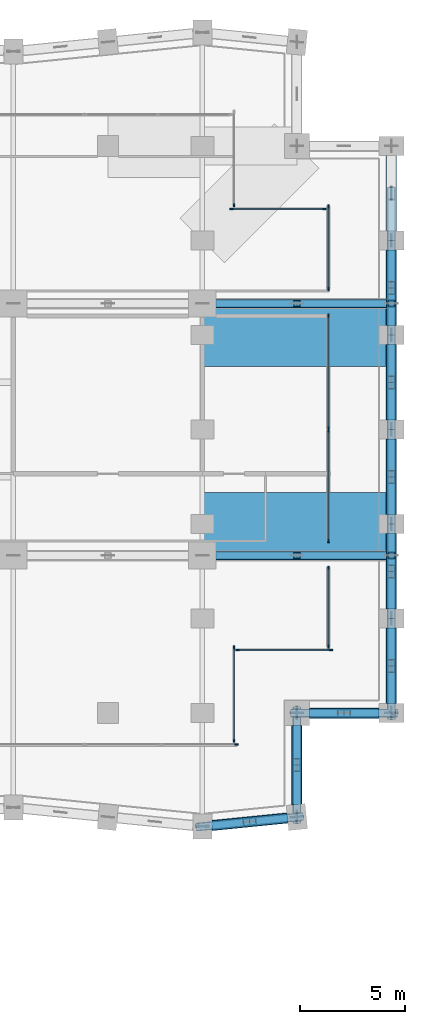
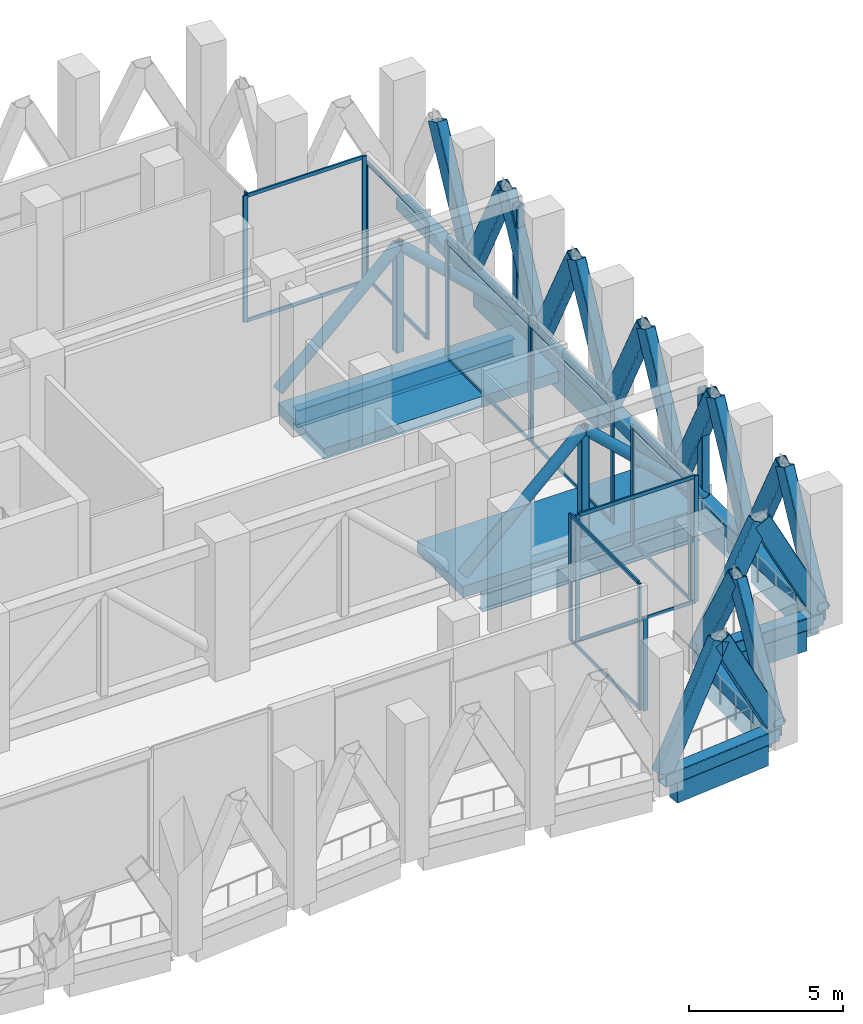
# One storey, part 18 of 37: 59 members, 12 beams, 9 elements without a shape of their own.
"""IFC4 building model written with IfcOpenShell, lengths in metres."""

from ifc_helpers import new_model, si_unit, direction, frame, origin, origin_2d, place, context, subcontext, project, spatial, rectangle, hollow_rectangle, hollow_circle, i_section, extrude, material, material_profile, profile_set, type_object, element, aggregate, save


model = new_model("IFC4")

# Units and contexts
model_context = context("Model", 3, precision=1e-05, world=origin(), true_north=direction((0.0, 1.0)))
body_context = subcontext(model_context, "Body", "Model", "MODEL_VIEW")
ifc_project = project(units=[si_unit("LENGTHUNIT", "METRE"), si_unit("AREAUNIT", "SQUARE_METRE"), si_unit("VOLUMEUNIT", "CUBIC_METRE"), si_unit("PLANEANGLEUNIT", "RADIAN"), si_unit("MASSUNIT", "GRAM", prefix="KILO")], contexts=[model_context])

# Site, building, storey
site_placement = place(None, origin())
site = spatial("IfcSite", under=ifc_project, at=site_placement, CompositionType="ELEMENT")
building_placement = place(site_placement, origin())
building = spatial("IfcBuilding", under=site, at=building_placement, Name="Brondeck Convention Tower", CompositionType="ELEMENT")
storey_placement = place(building_placement, frame((0.0, 0.0, 137.89990234375)))
storey = spatial("IfcBuildingStorey", under=building, at=storey_placement, Name="L33", CompositionType="ELEMENT", Elevation=137.89990234375)

# Beams
ifc_material_1 = material(Name="Concrete C70/85", Category="concrete")
ifc_material_profile_1 = material_profile(ifc_material_1, rectangle(XDim=3.0, YDim=0.43994140625, at=origin_2d()), Name="Band beam 3000x440 Concrete C70/85")
ifc_profile_set_1 = profile_set([ifc_material_profile_1], Name="Concrete C70/85")
beam_type_1 = type_object("IfcBeamType", Name="Band beam 3000x440 Concrete C70/85", PredefinedType="BEAM", material=ifc_profile_set_1)
for number, where, z_axis, x_axis, name in (
    (1, (63.0, 40.5, -0.219970703125), (1.0, 0.0, 0.0), (0.0, 1.0, 0.0), "Band beam L33-25"),
    (2, (63.0, 49.5, -0.219970703125), (1.0, 0.0, 0.0), (0.0, 1.0, 0.0), "Band beam L33-26"),
):
    element("IfcBeam", number, at=place(storey_placement, frame(where, z_axis=z_axis, x_axis=x_axis)), inside=storey, type_object=beam_type_1, Name=name, PredefinedType="BEAM", context=body_context, shape_type="SweptSolid", body=[
        extrude(rectangle(XDim=3.0, YDim=0.43994140625, at=origin_2d()), origin(), (0.0, 0.0, 1.0), 9.0),
    ])

# Curtain wall, member
ifc_material_2 = material(Name="Aluminium, bronze anodised", Category="aluminium")
curtain_wall_type = type_object("IfcCurtainWallType", Name="Sky lobby curtain wall", PredefinedType="NOTDEFINED", material=ifc_material_2)
curtain_wall_1_placement = place(storey_placement, origin())
curtain_wall_1 = element("IfcCurtainWall", 3, at=curtain_wall_1_placement, inside=storey, type_object=curtain_wall_type, Name="ENV-L33-016-CW30", PredefinedType="NOTDEFINED")
ifc_material_profile_2 = material_profile(ifc_material_2, rectangle(XDim=0.06005859375, YDim=0.159912109375, at=origin_2d()), Name="CW3 mullion")
ifc_profile_set_2 = profile_set([ifc_material_profile_2], Name="Aluminium, bronze anodised")
member_type_1 = type_object("IfcMemberType", Name="CW3 mullion", PredefinedType="MULLION", material=ifc_profile_set_2)
member_1_placement = place(storey_placement, frame((64.6201171875, 30.0, 0.0), z_axis=(0.0, 0.0, 1.0), x_axis=(0.0, -1.0, 0.0)))
member_1 = element("IfcMember", 4, at=member_1_placement, type_object=member_type_1, Name="CW3 mullion 1", PredefinedType="MULLION", context=body_context, shape_type="SweptSolid", body=[
    extrude(rectangle(XDim=0.06005859375, YDim=0.159912109375, at=origin_2d()), origin(), (0.0, 0.0, 1.0), 3.7001953125),
])
aggregate(curtain_wall_1, [member_1])

# Curtain wall, members
curtain_wall_2_placement = place(storey_placement, origin())
curtain_wall_2 = element("IfcCurtainWall", 5, at=curtain_wall_2_placement, inside=storey, type_object=curtain_wall_type, Name="ENV-L33-017-CW30", PredefinedType="NOTDEFINED")
member_2_placement = place(storey_placement, frame((64.5, 34.6201171875, 0.0), z_axis=(0.0, 0.0, 1.0), x_axis=(1.0, 0.0, 0.0)))
member_2 = element("IfcMember", 6, at=member_2_placement, type_object=member_type_1, Name="CW3 mullion 1", PredefinedType="MULLION", context=body_context, shape_type="SweptSolid", body=[
    extrude(rectangle(XDim=0.06005859375, YDim=0.159912109375, at=origin_2d()), origin(), (0.0, 0.0, 1.0), 5.0),
])
member_3_placement = place(storey_placement, frame((64.5, 30.179931640625, 0.0), z_axis=(0.0, 0.0, 1.0), x_axis=(1.0, 0.0, 0.0)))
member_3 = element("IfcMember", 7, at=member_3_placement, type_object=member_type_1, Name="CW3 mullion 2", PredefinedType="MULLION", context=body_context, shape_type="SweptSolid", body=[
    extrude(rectangle(XDim=0.06005859375, YDim=0.159912109375, at=origin_2d()), origin(), (0.0, 0.0, 1.0), 5.0),
])

curtain_wall_3_placement = place(storey_placement, origin())
curtain_wall_3 = element("IfcCurtainWall", 8, at=curtain_wall_3_placement, inside=storey, type_object=curtain_wall_type, Name="ENV-L33-018-CW30", PredefinedType="NOTDEFINED")
member_4_placement = place(storey_placement, frame((69.1201171875, 34.5, 0.0), z_axis=(0.0, 0.0, 1.0), x_axis=(0.0, -1.0, 0.0)))
member_4 = element("IfcMember", 9, at=member_4_placement, type_object=member_type_1, Name="CW3 mullion 1", PredefinedType="MULLION", context=body_context, shape_type="SweptSolid", body=[
    extrude(rectangle(XDim=0.06005859375, YDim=0.159912109375, at=origin_2d()), origin(), (0.0, 0.0, 1.0), 5.0),
])
member_5_placement = place(storey_placement, frame((64.679931640625, 34.5, 0.0), z_axis=(0.0, 0.0, 1.0), x_axis=(0.0, -1.0, 0.0)))
member_5 = element("IfcMember", 10, at=member_5_placement, type_object=member_type_1, Name="CW3 mullion 2", PredefinedType="MULLION", context=body_context, shape_type="SweptSolid", body=[
    extrude(rectangle(XDim=0.06005859375, YDim=0.159912109375, at=origin_2d()), origin(), (0.0, 0.0, 1.0), 5.0),
])

curtain_wall_4_placement = place(storey_placement, origin())
curtain_wall_4 = element("IfcCurtainWall", 11, at=curtain_wall_4_placement, inside=storey, type_object=curtain_wall_type, Name="ENV-L33-019-CW30", PredefinedType="NOTDEFINED")
member_6_placement = place(storey_placement, frame((69.0, 38.419921875, 0.0), z_axis=(0.0, 0.0, 1.0), x_axis=(1.0, 0.0, 0.0)))
member_6 = element("IfcMember", 12, at=member_6_placement, type_object=member_type_1, Name="CW3 mullion 1", PredefinedType="MULLION", context=body_context, shape_type="SweptSolid", body=[
    extrude(rectangle(XDim=0.06005859375, YDim=0.159912109375, at=origin_2d()), origin(), (0.0, 0.0, 1.0), 4.650146484375),
])
member_7_placement = place(storey_placement, frame((69.0, 34.677978515625, 0.0), z_axis=(0.0, 0.0, 1.0), x_axis=(1.0, 0.0, 0.0)))
member_7 = element("IfcMember", 13, at=member_7_placement, type_object=member_type_1, Name="CW3 mullion 2", PredefinedType="MULLION", context=body_context, shape_type="SweptSolid", body=[
    extrude(rectangle(XDim=0.06005859375, YDim=0.159912109375, at=origin_2d()), origin(), (0.0, 0.0, 1.0), 4.650146484375),
])

curtain_wall_5_placement = place(storey_placement, origin())
curtain_wall_5 = element("IfcCurtainWall", 14, at=curtain_wall_5_placement, inside=storey, type_object=curtain_wall_type, Name="ENV-L33-020-CW30", PredefinedType="NOTDEFINED")
member_8_placement = place(storey_placement, frame((69.0, 44.93994140625, 0.0), z_axis=(0.0, 0.0, 1.0), x_axis=(1.0, 0.0, 0.0)))
member_8 = element("IfcMember", 15, at=member_8_placement, type_object=member_type_1, Name="CW3 mullion 1", PredefinedType="MULLION", context=body_context, shape_type="SweptSolid", body=[
    extrude(rectangle(XDim=0.06005859375, YDim=0.159912109375, at=origin_2d()), origin(), (0.0, 0.0, 1.0), 4.650146484375),
])
member_9_placement = place(storey_placement, frame((69.0, 39.699951171875, 0.0), z_axis=(0.0, 0.0, 1.0), x_axis=(1.0, 0.0, 0.0)))
member_9 = element("IfcMember", 16, at=member_9_placement, type_object=member_type_1, Name="CW3 mullion 2", PredefinedType="MULLION", context=body_context, shape_type="SweptSolid", body=[
    extrude(rectangle(XDim=0.06005859375, YDim=0.159912109375, at=origin_2d()), origin(), (0.0, 0.0, 1.0), 4.650146484375),
])

curtain_wall_6_placement = place(storey_placement, origin())
curtain_wall_6 = element("IfcCurtainWall", 17, at=curtain_wall_6_placement, inside=storey, type_object=curtain_wall_type, Name="ENV-L33-020-CW31", PredefinedType="NOTDEFINED")
member_10_placement = place(storey_placement, frame((69.0, 50.419921875, 0.0), z_axis=(0.0, 0.0, 1.0), x_axis=(1.0, 0.0, 0.0)))
member_10 = element("IfcMember", 18, at=member_10_placement, type_object=member_type_1, Name="CW3 mullion 1", PredefinedType="MULLION", context=body_context, shape_type="SweptSolid", body=[
    extrude(rectangle(XDim=0.06005859375, YDim=0.159912109375, at=origin_2d()), origin(), (0.0, 0.0, 1.0), 4.650146484375),
])
member_11_placement = place(storey_placement, frame((69.0, 45.06005859375, 0.0), z_axis=(0.0, 0.0, 1.0), x_axis=(1.0, 0.0, 0.0)))
member_11 = element("IfcMember", 19, at=member_11_placement, type_object=member_type_1, Name="CW3 mullion 2", PredefinedType="MULLION", context=body_context, shape_type="SweptSolid", body=[
    extrude(rectangle(XDim=0.06005859375, YDim=0.159912109375, at=origin_2d()), origin(), (0.0, 0.0, 1.0), 4.650146484375),
])

curtain_wall_7_placement = place(storey_placement, origin())
curtain_wall_7 = element("IfcCurtainWall", 20, at=curtain_wall_7_placement, inside=storey, type_object=curtain_wall_type, Name="ENV-L33-021-CW30", PredefinedType="NOTDEFINED")
member_12_placement = place(storey_placement, frame((69.0, 55.6201171875, 0.0), z_axis=(0.0, 0.0, 1.0), x_axis=(1.0, 0.0, 0.0)))
member_12 = element("IfcMember", 21, at=member_12_placement, type_object=member_type_1, Name="CW3 mullion 1", PredefinedType="MULLION", context=body_context, shape_type="SweptSolid", body=[
    extrude(rectangle(XDim=0.06005859375, YDim=0.159912109375, at=origin_2d()), origin(), (0.0, 0.0, 1.0), 4.650146484375),
])
member_13_placement = place(storey_placement, frame((69.0, 51.699951171875, 0.0), z_axis=(0.0, 0.0, 1.0), x_axis=(1.0, 0.0, 0.0)))
member_13 = element("IfcMember", 22, at=member_13_placement, type_object=member_type_1, Name="CW3 mullion 2", PredefinedType="MULLION", context=body_context, shape_type="SweptSolid", body=[
    extrude(rectangle(XDim=0.06005859375, YDim=0.159912109375, at=origin_2d()), origin(), (0.0, 0.0, 1.0), 4.650146484375),
])

curtain_wall_8_placement = place(storey_placement, origin())
curtain_wall_8 = element("IfcCurtainWall", 23, at=curtain_wall_8_placement, inside=storey, type_object=curtain_wall_type, Name="ENV-L33-022-CW30", PredefinedType="NOTDEFINED")
member_14_placement = place(storey_placement, frame((64.3798828125, 55.5, 0.0), z_axis=(0.0, 0.0, 1.0), x_axis=(0.0, 1.0, 0.0)))
member_14 = element("IfcMember", 24, at=member_14_placement, type_object=member_type_1, Name="CW3 mullion 1", PredefinedType="MULLION", context=body_context, shape_type="SweptSolid", body=[
    extrude(rectangle(XDim=0.06005859375, YDim=0.159912109375, at=origin_2d()), origin(), (0.0, 0.0, 1.0), 5.0),
])
member_15_placement = place(storey_placement, frame((68.820068359375, 55.5, 0.0), z_axis=(0.0, 0.0, 1.0), x_axis=(0.0, 1.0, 0.0)))
member_15 = element("IfcMember", 25, at=member_15_placement, type_object=member_type_1, Name="CW3 mullion 2", PredefinedType="MULLION", context=body_context, shape_type="SweptSolid", body=[
    extrude(rectangle(XDim=0.06005859375, YDim=0.159912109375, at=origin_2d()), origin(), (0.0, 0.0, 1.0), 5.0),
])

# Curtain wall, member
curtain_wall_9_placement = place(storey_placement, origin())
curtain_wall_9 = element("IfcCurtainWall", 26, at=curtain_wall_9_placement, inside=storey, type_object=curtain_wall_type, Name="ENV-L33-023-CW30", PredefinedType="NOTDEFINED")
member_16_placement = place(storey_placement, frame((64.5, 55.677978515625, 0.0), z_axis=(0.0, 0.0, 1.0), x_axis=(1.0, 0.0, 0.0)))
member_16 = element("IfcMember", 27, at=member_16_placement, type_object=member_type_1, Name="CW3 mullion 2", PredefinedType="MULLION", context=body_context, shape_type="SweptSolid", body=[
    extrude(rectangle(XDim=0.06005859375, YDim=0.159912109375, at=origin_2d()), origin(), (0.0, 0.0, 1.0), 5.0),
])
aggregate(curtain_wall_9, [member_16])

# Member
ifc_material_profile_3 = material_profile(ifc_material_2, rectangle(XDim=0.06005859375, YDim=0.139892578125, at=origin_2d()), Name="CW3 transom")
ifc_profile_set_3 = profile_set([ifc_material_profile_3], Name="Aluminium, bronze anodised")
member_type_2 = type_object("IfcMemberType", Name="CW3 transom", PredefinedType="USERDEFINED", material=ifc_profile_set_3)
member_17_placement = place(storey_placement, frame((64.5, 34.590087890625, 0.030029296875), z_axis=(0.0, -1.0, 0.0), x_axis=(1.0, 0.0, 0.0)))
member_17 = element("IfcMember", 28, at=member_17_placement, type_object=member_type_2, Name="CW3 transom 1.1", ObjectType="TRANSOM", PredefinedType="USERDEFINED", context=body_context, shape_type="SweptSolid", body=[
    extrude(rectangle(XDim=0.06005859375, YDim=0.139892578125, at=origin_2d()), origin(), (0.0, 0.0, 1.0), 4.380126953125),
])

member_18_placement = place(storey_placement, frame((64.5, 34.590087890625, 4.97021484375), z_axis=(0.0, -1.0, 0.0), x_axis=(1.0, 0.0, 0.0)))
member_18 = element("IfcMember", 29, at=member_18_placement, type_object=member_type_2, Name="CW3 transom 1.2", ObjectType="TRANSOM", PredefinedType="USERDEFINED", context=body_context, shape_type="SweptSolid", body=[
    extrude(rectangle(XDim=0.06005859375, YDim=0.139892578125, at=origin_2d()), origin(), (0.0, 0.0, 1.0), 4.380126953125),
])

aggregate(curtain_wall_2, [member_2, member_3, member_17, member_18])

member_19_placement = place(storey_placement, frame((69.090087890625, 34.5, 0.030029296875), z_axis=(-1.0, 0.0, 0.0), x_axis=(0.0, -1.0, 0.0)))
member_19 = element("IfcMember", 30, at=member_19_placement, type_object=member_type_2, Name="CW3 transom 1.1", ObjectType="TRANSOM", PredefinedType="USERDEFINED", context=body_context, shape_type="SweptSolid", body=[
    extrude(rectangle(XDim=0.06005859375, YDim=0.139892578125, at=origin_2d()), origin(), (0.0, 0.0, 1.0), 4.380126953125),
])

member_20_placement = place(storey_placement, frame((69.090087890625, 34.5, 4.97021484375), z_axis=(-1.0, 0.0, 0.0), x_axis=(0.0, -1.0, 0.0)))
member_20 = element("IfcMember", 31, at=member_20_placement, type_object=member_type_2, Name="CW3 transom 1.2", ObjectType="TRANSOM", PredefinedType="USERDEFINED", context=body_context, shape_type="SweptSolid", body=[
    extrude(rectangle(XDim=0.06005859375, YDim=0.139892578125, at=origin_2d()), origin(), (0.0, 0.0, 1.0), 4.380126953125),
])

aggregate(curtain_wall_3, [member_4, member_5, member_19, member_20])

member_21_placement = place(storey_placement, frame((69.0, 38.389892578125, 0.030029296875), z_axis=(0.0, -1.0, 0.0), x_axis=(1.0, 0.0, 0.0)))
member_21 = element("IfcMember", 32, at=member_21_placement, type_object=member_type_2, Name="CW3 transom 1.1", ObjectType="TRANSOM", PredefinedType="USERDEFINED", context=body_context, shape_type="SweptSolid", body=[
    extrude(rectangle(XDim=0.06005859375, YDim=0.139892578125, at=origin_2d()), origin(), (0.0, 0.0, 1.0), 3.681884765625),
])

member_22_placement = place(storey_placement, frame((69.0, 38.389892578125, 4.6201171875), z_axis=(0.0, -1.0, 0.0), x_axis=(1.0, 0.0, 0.0)))
member_22 = element("IfcMember", 33, at=member_22_placement, type_object=member_type_2, Name="CW3 transom 1.2", ObjectType="TRANSOM", PredefinedType="USERDEFINED", context=body_context, shape_type="SweptSolid", body=[
    extrude(rectangle(XDim=0.06005859375, YDim=0.139892578125, at=origin_2d()), origin(), (0.0, 0.0, 1.0), 3.681884765625),
])

aggregate(curtain_wall_4, [member_6, member_7, member_21, member_22])

member_23_placement = place(storey_placement, frame((69.0, 44.909912109375, 0.030029296875), z_axis=(0.0, -1.0, 0.0), x_axis=(1.0, 0.0, 0.0)))
member_23 = element("IfcMember", 34, at=member_23_placement, type_object=member_type_2, Name="CW3 transom 1.1", ObjectType="TRANSOM", PredefinedType="USERDEFINED", context=body_context, shape_type="SweptSolid", body=[
    extrude(rectangle(XDim=0.06005859375, YDim=0.139892578125, at=origin_2d()), origin(), (0.0, 0.0, 1.0), 5.179931640625),
])

member_24_placement = place(storey_placement, frame((69.0, 44.909912109375, 4.6201171875), z_axis=(0.0, -1.0, 0.0), x_axis=(1.0, 0.0, 0.0)))
member_24 = element("IfcMember", 35, at=member_24_placement, type_object=member_type_2, Name="CW3 transom 1.2", ObjectType="TRANSOM", PredefinedType="USERDEFINED", context=body_context, shape_type="SweptSolid", body=[
    extrude(rectangle(XDim=0.06005859375, YDim=0.139892578125, at=origin_2d()), origin(), (0.0, 0.0, 1.0), 5.179931640625),
])

aggregate(curtain_wall_5, [member_8, member_9, member_23, member_24])

member_25_placement = place(storey_placement, frame((69.0, 50.389892578125, 0.030029296875), z_axis=(0.0, -1.0, 0.0), x_axis=(1.0, 0.0, 0.0)))
member_25 = element("IfcMember", 36, at=member_25_placement, type_object=member_type_2, Name="CW3 transom 1.1", ObjectType="TRANSOM", PredefinedType="USERDEFINED", context=body_context, shape_type="SweptSolid", body=[
    extrude(rectangle(XDim=0.06005859375, YDim=0.139892578125, at=origin_2d()), origin(), (0.0, 0.0, 1.0), 5.2998046875),
])

member_26_placement = place(storey_placement, frame((69.0, 50.389892578125, 4.6201171875), z_axis=(0.0, -1.0, 0.0), x_axis=(1.0, 0.0, 0.0)))
member_26 = element("IfcMember", 37, at=member_26_placement, type_object=member_type_2, Name="CW3 transom 1.2", ObjectType="TRANSOM", PredefinedType="USERDEFINED", context=body_context, shape_type="SweptSolid", body=[
    extrude(rectangle(XDim=0.06005859375, YDim=0.139892578125, at=origin_2d()), origin(), (0.0, 0.0, 1.0), 5.2998046875),
])

aggregate(curtain_wall_6, [member_10, member_11, member_25, member_26])

member_27_placement = place(storey_placement, frame((69.0, 55.590087890625, 0.030029296875), z_axis=(0.0, -1.0, 0.0), x_axis=(1.0, 0.0, 0.0)))
member_27 = element("IfcMember", 38, at=member_27_placement, type_object=member_type_2, Name="CW3 transom 1.1", ObjectType="TRANSOM", PredefinedType="USERDEFINED", context=body_context, shape_type="SweptSolid", body=[
    extrude(rectangle(XDim=0.06005859375, YDim=0.139892578125, at=origin_2d()), origin(), (0.0, 0.0, 1.0), 3.860107421875),
])

member_28_placement = place(storey_placement, frame((69.0, 55.590087890625, 4.6201171875), z_axis=(0.0, -1.0, 0.0), x_axis=(1.0, 0.0, 0.0)))
member_28 = element("IfcMember", 39, at=member_28_placement, type_object=member_type_2, Name="CW3 transom 1.2", ObjectType="TRANSOM", PredefinedType="USERDEFINED", context=body_context, shape_type="SweptSolid", body=[
    extrude(rectangle(XDim=0.06005859375, YDim=0.139892578125, at=origin_2d()), origin(), (0.0, 0.0, 1.0), 3.860107421875),
])

aggregate(curtain_wall_7, [member_12, member_13, member_27, member_28])

member_29_placement = place(storey_placement, frame((64.409912109375, 55.5, 0.030029296875), z_axis=(1.0, 0.0, 0.0), x_axis=(0.0, 1.0, 0.0)))
member_29 = element("IfcMember", 40, at=member_29_placement, type_object=member_type_2, Name="CW3 transom 1.1", ObjectType="TRANSOM", PredefinedType="USERDEFINED", context=body_context, shape_type="SweptSolid", body=[
    extrude(rectangle(XDim=0.06005859375, YDim=0.139892578125, at=origin_2d()), origin(), (0.0, 0.0, 1.0), 4.380126953125),
])

member_30_placement = place(storey_placement, frame((64.409912109375, 55.5, 4.97021484375), z_axis=(1.0, 0.0, 0.0), x_axis=(0.0, 1.0, 0.0)))
member_30 = element("IfcMember", 41, at=member_30_placement, type_object=member_type_2, Name="CW3 transom 1.2", ObjectType="TRANSOM", PredefinedType="USERDEFINED", context=body_context, shape_type="SweptSolid", body=[
    extrude(rectangle(XDim=0.06005859375, YDim=0.139892578125, at=origin_2d()), origin(), (0.0, 0.0, 1.0), 4.380126953125),
])

aggregate(curtain_wall_8, [member_14, member_15, member_29, member_30])

# Members
ifc_material_3 = material(Name="Steel S460", Category="steel")
ifc_material_profile_4 = material_profile(ifc_material_3, hollow_rectangle(XDim=0.39990234375, YDim=0.699951171875, WallThickness=0.030029296875, InnerFilletRadius=0.030029296875, OuterFilletRadius=0.06005859375, at=origin_2d()), Name="RHS 700x400x30")
ifc_profile_set_4 = profile_set([ifc_material_profile_4], Name="Steel S460")
member_type_3 = type_object("IfcMemberType", Name="Chevron brace RHS 700x400x30", PredefinedType="BRACE", material=ifc_profile_set_4)
for number, where, z_axis, x_axis, name in (
    (42, (63.0, 26.10009765625, 0.5), (0.458931352356, 0.045863256892, 0.887287200117), (-0.099439578731, 0.995043602151, 0.0), "Belt truss BT-33-20 diagonal"),
    (43, (67.5, 26.550048828125, 0.5), (-0.458930303654, -0.045912949215, 0.887285172581), (0.099546478526, -0.995032913332, 0.0), "Belt truss BT-33-20 diagonal"),
):
    element("IfcMember", number, at=place(storey_placement, frame(where, z_axis=z_axis, x_axis=x_axis)), inside=storey, type_object=member_type_3, Name=name, PredefinedType="BRACE", context=body_context, shape_type="SweptSolid", body=[
        extrude(hollow_rectangle(XDim=0.39990234375, YDim=0.699951171875, WallThickness=0.030029296875, InnerFilletRadius=0.030029296875, OuterFilletRadius=0.06005859375, at=origin_2d()), origin(), (0.0, 0.0, 1.0), 4.902587890625),
    ])
for number, where, z_axis, x_axis, name in (
    (44, (67.5, 26.550048828125, 0.5), (0.0, 0.494493751194, 0.869181183661), (-1.0, 0.0, 0.0), "Belt truss BT-33-21 diagonal"),
    (45, (67.5, 31.5, 0.5), (0.0, -0.494530602788, 0.869160217052), (1.0, 0.0, 0.0), "Belt truss BT-33-21 diagonal"),
):
    element("IfcMember", number, at=place(storey_placement, frame(where, z_axis=z_axis, x_axis=x_axis)), inside=storey, type_object=member_type_3, Name=name, PredefinedType="BRACE", context=body_context, shape_type="SweptSolid", body=[
        extrude(hollow_rectangle(XDim=0.39990234375, YDim=0.699951171875, WallThickness=0.030029296875, InnerFilletRadius=0.030029296875, OuterFilletRadius=0.06005859375, at=origin_2d()), origin(), (0.0, 0.0, 1.0), 5.0048828125),
    ])
for number, where, z_axis, x_axis, name in (
    (46, (67.5, 31.5, 0.5), (0.459414782038, 0.0, 0.888221851817), (0.0, 1.0, 0.0), "Belt truss BT-33-22 diagonal"),
    (47, (72.0, 31.5, 0.5), (-0.459414782038, 0.0, 0.888221851817), (0.0, -1.0, 0.0), "Belt truss BT-33-22 diagonal"),
    (48, (72.0, 31.5, 0.5), (0.0, 0.459414782038, 0.888221851817), (-1.0, 0.0, 0.0), "Belt truss BT-33-23 diagonal"),
    (49, (72.0, 36.0, 0.5), (0.0, -0.459414782038, 0.888221851817), (1.0, 0.0, 0.0), "Belt truss BT-33-23 diagonal"),
    (50, (72.0, 36.0, 0.5), (0.0, 0.459414782038, 0.888221851817), (-1.0, 0.0, 0.0), "Belt truss BT-33-24 diagonal"),
    (51, (72.0, 40.5, 0.5), (0.0, -0.459414782038, 0.888221851817), (1.0, 0.0, 0.0), "Belt truss BT-33-24 diagonal"),
    (52, (72.0, 40.5, 0.5), (0.0, 0.459414782038, 0.888221851817), (-1.0, 0.0, 0.0), "Belt truss BT-33-25 diagonal"),
    (53, (72.0, 45.0, 0.5), (0.0, -0.459414782038, 0.888221851817), (1.0, 0.0, 0.0), "Belt truss BT-33-25 diagonal"),
    (54, (72.0, 45.0, 0.5), (0.0, 0.459414782038, 0.888221851817), (-1.0, 0.0, 0.0), "Belt truss BT-33-26 diagonal"),
    (55, (72.0, 49.5, 0.5), (0.0, -0.459414782038, 0.888221851817), (1.0, 0.0, 0.0), "Belt truss BT-33-26 diagonal"),
    (56, (72.0, 49.5, 0.5), (0.0, 0.459414782038, 0.888221851817), (-1.0, 0.0, 0.0), "Belt truss BT-33-27 diagonal"),
    (57, (72.0, 54.0, 0.5), (0.0, -0.459414782038, 0.888221851817), (1.0, 0.0, 0.0), "Belt truss BT-33-27 diagonal"),
    (58, (72.0, 54.0, 0.5), (0.0, 0.459414782038, 0.888221851817), (-1.0, 0.0, 0.0), "Belt truss BT-33-28 diagonal"),
):
    element("IfcMember", number, at=place(storey_placement, frame(where, z_axis=z_axis, x_axis=x_axis)), inside=storey, type_object=member_type_3, Name=name, PredefinedType="BRACE", context=body_context, shape_type="SweptSolid", body=[
        extrude(hollow_rectangle(XDim=0.39990234375, YDim=0.699951171875, WallThickness=0.030029296875, InnerFilletRadius=0.030029296875, OuterFilletRadius=0.06005859375, at=origin_2d()), origin(), (0.0, 0.0, 1.0), 4.8974609375),
    ])

# Beams
ifc_material_4 = material(Name="Steel S355", Category="steel")
ifc_material_profile_5 = material_profile(ifc_material_4, i_section(OverallWidth=0.300048828125, OverallDepth=0.699951171875, WebThickness=0.01708984375, FlangeThickness=0.031982421875, FilletRadius=0.027099609375, at=origin_2d()), Name="HEB 700")
ifc_profile_set_5 = profile_set([ifc_material_profile_5], Name="Steel S355")
beam_type_2 = type_object("IfcBeamType", Name="Girder HEB 700", PredefinedType="BEAM", material=ifc_profile_set_5)
for number, where, z_axis, x_axis, name in (
    (59, (63.64990234375, 39.0, -0.7998046875), (1.0, 0.0, 0.0), (0.0, 1.0, 0.0), "STR-GR-L33-004"),
    (60, (63.64990234375, 51.0, -0.7998046875), (1.0, 0.0, 0.0), (0.0, 1.0, 0.0), "STR-GR-L33-008"),
):
    element("IfcBeam", number, at=place(storey_placement, frame(where, z_axis=z_axis, x_axis=x_axis)), inside=storey, type_object=beam_type_2, Name=name, PredefinedType="BEAM", context=body_context, shape_type="SweptSolid", body=[
        extrude(i_section(OverallWidth=0.300048828125, OverallDepth=0.699951171875, WebThickness=0.01708984375, FlangeThickness=0.031982421875, FilletRadius=0.027099609375, at=origin_2d()), origin(), (0.0, 0.0, 1.0), 8.125),
    ])
ifc_material_profile_6 = material_profile(ifc_material_1, rectangle(XDim=0.449951171875, YDim=0.800048828125, at=origin_2d()), Name="Precast spandrel 450x800 Concrete C70/85")
ifc_profile_set_6 = profile_set([ifc_material_profile_6], Name="Concrete C70/85")
beam_type_3 = type_object("IfcBeamType", Name="Precast spandrel 450x800 Concrete C70/85", PredefinedType="SPANDREL", material=ifc_profile_set_6)
beam_1_placement = place(storey_placement, frame((63.449951171875, 26.14501953125, -0.39990234375), z_axis=(0.995040528141, 0.099470334057, 0.0), x_axis=(-0.099470334057, 0.995040528141, 0.0)))
element("IfcBeam", 61, at=beam_1_placement, inside=storey, type_object=beam_type_3, Name="STR-SP-L33-020", PredefinedType="SPANDREL", context=body_context, shape_type="SweptSolid", body=[
    extrude(rectangle(XDim=0.449951171875, YDim=0.800048828125, at=origin_2d()), origin(), (0.0, 0.0, 1.0), 3.620361328125),
])
beam_2_placement = place(storey_placement, frame((67.5, 27.153076171875, -0.39990234375), z_axis=(0.0, 1.0, 0.0), x_axis=(-1.0, 0.0, 0.0)))
element("IfcBeam", 62, at=beam_2_placement, inside=storey, type_object=beam_type_3, Name="STR-SP-L33-021", PredefinedType="SPANDREL", context=body_context, shape_type="SweptSolid", body=[
    extrude(rectangle(XDim=0.449951171875, YDim=0.800048828125, at=origin_2d()), origin(), (0.0, 0.0, 1.0), 3.746826171875),
])
beam_3_placement = place(storey_placement, frame((68.10009765625, 31.5, -0.39990234375), z_axis=(1.0, 0.0, 0.0), x_axis=(0.0, 1.0, 0.0)))
element("IfcBeam", 63, at=beam_3_placement, inside=storey, type_object=beam_type_3, Name="STR-SP-L33-022", PredefinedType="SPANDREL", context=body_context, shape_type="SweptSolid", body=[
    extrude(rectangle(XDim=0.449951171875, YDim=0.800048828125, at=origin_2d()), origin(), (0.0, 0.0, 1.0), 3.2998046875),
])
for number, where, z_axis, x_axis, name in (
    (64, (72.0, 31.949951171875, -0.39990234375), (0.0, 1.0, 0.0), (-1.0, 0.0, 0.0), "STR-SP-L33-023"),
    (65, (72.0, 36.449951171875, -0.39990234375), (0.0, 1.0, 0.0), (-1.0, 0.0, 0.0), "STR-SP-L33-024"),
    (66, (72.0, 40.949951171875, -0.39990234375), (0.0, 1.0, 0.0), (-1.0, 0.0, 0.0), "STR-SP-L33-025"),
    (67, (72.0, 45.449951171875, -0.39990234375), (0.0, 1.0, 0.0), (-1.0, 0.0, 0.0), "STR-SP-L33-026"),
    (68, (72.0, 49.949951171875, -0.39990234375), (0.0, 1.0, 0.0), (-1.0, 0.0, 0.0), "STR-SP-L33-027"),
):
    element("IfcBeam", number, at=place(storey_placement, frame(where, z_axis=z_axis, x_axis=x_axis)), inside=storey, type_object=beam_type_3, Name=name, PredefinedType="SPANDREL", context=body_context, shape_type="SweptSolid", body=[
        extrude(rectangle(XDim=0.449951171875, YDim=0.800048828125, at=origin_2d()), origin(), (0.0, 0.0, 1.0), 3.60009765625),
    ])

# Members
ifc_material_profile_7 = material_profile(ifc_material_3, hollow_rectangle(XDim=0.5, YDim=0.5, WallThickness=0.02490234375, InnerFilletRadius=0.02490234375, OuterFilletRadius=0.050048828125, at=origin_2d()), Name="RHS 500x500x25")
ifc_profile_set_7 = profile_set([ifc_material_profile_7], Name="Steel S460")
member_type_4 = type_object("IfcMemberType", Name="Truss chord RHS 500x500x25", PredefinedType="CHORD", material=ifc_profile_set_7)
member_31_placement = place(storey_placement, frame((63.0, 26.10009765625, 0.25), z_axis=(0.995038259148, 0.099493029059, 0.0), x_axis=(-0.099493029059, 0.995038259148, 0.0)))
element("IfcMember", 69, at=member_31_placement, inside=storey, type_object=member_type_4, Name="Belt truss BT-33-10 chord", PredefinedType="CHORD", context=body_context, shape_type="SweptSolid", body=[
    extrude(hollow_rectangle(XDim=0.5, YDim=0.5, WallThickness=0.02490234375, InnerFilletRadius=0.02490234375, OuterFilletRadius=0.050048828125, at=origin_2d()), origin(), (0.0, 0.0, 1.0), 4.5224609375),
])
member_32_placement = place(storey_placement, frame((67.5, 26.550048828125, 0.25), z_axis=(0.0, 1.0, 0.0), x_axis=(-1.0, 0.0, 0.0)))
element("IfcMember", 70, at=member_32_placement, inside=storey, type_object=member_type_4, Name="Belt truss BT-33-11 chord", PredefinedType="CHORD", context=body_context, shape_type="SweptSolid", body=[
    extrude(hollow_rectangle(XDim=0.5, YDim=0.5, WallThickness=0.02490234375, InnerFilletRadius=0.02490234375, OuterFilletRadius=0.050048828125, at=origin_2d()), origin(), (0.0, 0.0, 1.0), 4.949951171875),
])
member_33_placement = place(storey_placement, frame((67.5, 31.5, 0.25), z_axis=(1.0, 0.0, 0.0), x_axis=(0.0, 1.0, 0.0)))
element("IfcMember", 71, at=member_33_placement, inside=storey, type_object=member_type_4, Name="Belt truss BT-33-12 chord", PredefinedType="CHORD", context=body_context, shape_type="SweptSolid", body=[
    extrude(hollow_rectangle(XDim=0.5, YDim=0.5, WallThickness=0.02490234375, InnerFilletRadius=0.02490234375, OuterFilletRadius=0.050048828125, at=origin_2d()), origin(), (0.0, 0.0, 1.0), 4.5),
])
member_34_placement = place(storey_placement, frame((72.0, 31.5, 0.25), z_axis=(0.0, 1.0, 0.0), x_axis=(-1.0, 0.0, 0.0)))
element("IfcMember", 72, at=member_34_placement, inside=storey, type_object=member_type_4, Name="Belt truss BT-33-13 chord", PredefinedType="CHORD", context=body_context, shape_type="SweptSolid", body=[
    extrude(hollow_rectangle(XDim=0.5, YDim=0.5, WallThickness=0.02490234375, InnerFilletRadius=0.02490234375, OuterFilletRadius=0.050048828125, at=origin_2d()), origin(), (0.0, 0.0, 1.0), 27.0),
])
ifc_material_profile_8 = material_profile(ifc_material_3, hollow_circle(Radius=0.203125, WallThickness=0.02490234375, at=origin_2d()), Name="CHS 406.4x25")
ifc_profile_set_8 = profile_set([ifc_material_profile_8], Name="Steel S460")
member_type_5 = type_object("IfcMemberType", Name="Truss diagonal CHS 406.4x25", PredefinedType="BRACE", material=ifc_profile_set_8)
for number, where, z_axis, x_axis, name in (
    (73, (63.0, 39.0, 0.5), (0.731039441158, 0.0, 0.682335207557), (0.0, 1.0, 0.0), "Outrigger truss OT-33-A1 diagonal"),
    (74, (67.5, 39.0, 4.7001953125), (0.731039441158, 0.0, -0.682335207557), (0.0, 1.0, 0.0), "Outrigger truss OT-33-A1 diagonal"),
    (75, (63.0, 51.0, 0.5), (0.731039441158, 0.0, 0.682335207557), (0.0, 1.0, 0.0), "Outrigger truss OT-33-A2 diagonal"),
    (76, (67.5, 51.0, 4.7001953125), (0.731039441158, 0.0, -0.682335207557), (0.0, 1.0, 0.0), "Outrigger truss OT-33-A2 diagonal"),
):
    element("IfcMember", number, at=place(storey_placement, frame(where, z_axis=z_axis, x_axis=x_axis)), inside=storey, type_object=member_type_5, Name=name, PredefinedType="BRACE", context=body_context, shape_type="SweptSolid", body=[
        extrude(hollow_circle(Radius=0.203125, WallThickness=0.02490234375, at=origin_2d()), origin(), (0.0, 0.0, 1.0), 6.155517578125),
    ])
ifc_material_profile_9 = material_profile(ifc_material_3, hollow_rectangle(XDim=0.300048828125, YDim=0.300048828125, WallThickness=0.01611328125, InnerFilletRadius=0.01611328125, OuterFilletRadius=0.031982421875, at=origin_2d()), Name="RHS 300x300x16")
ifc_profile_set_9 = profile_set([ifc_material_profile_9], Name="Steel S460")
member_type_6 = type_object("IfcMemberType", Name="Truss vertical RHS 300x300x16", PredefinedType="STRUT", material=ifc_profile_set_9)
for number, where, z_axis, x_axis, name in (
    (77, (67.5, 39.0, 0.5), (0.0, 0.0, 1.0), (1.0, 0.0, 0.0), "Outrigger truss OT-33-A1 vertical"),
    (78, (72.0, 39.0, 0.5), (0.0, 0.0, 1.0), (1.0, 0.0, 0.0), "Outrigger truss OT-33-A1 vertical"),
    (79, (67.5, 51.0, 0.5), (0.0, 0.0, 1.0), (1.0, 0.0, 0.0), "Outrigger truss OT-33-A2 vertical"),
    (80, (72.0, 51.0, 0.5), (0.0, 0.0, 1.0), (1.0, 0.0, 0.0), "Outrigger truss OT-33-A2 vertical"),
):
    element("IfcMember", number, at=place(storey_placement, frame(where, z_axis=z_axis, x_axis=x_axis)), inside=storey, type_object=member_type_6, Name=name, PredefinedType="STRUT", context=body_context, shape_type="SweptSolid", body=[
        extrude(hollow_rectangle(XDim=0.300048828125, YDim=0.300048828125, WallThickness=0.01611328125, InnerFilletRadius=0.01611328125, OuterFilletRadius=0.031982421875, at=origin_2d()), origin(), (0.0, 0.0, 1.0), 4.2001953125),
    ])

save(model, "model.ifc")
